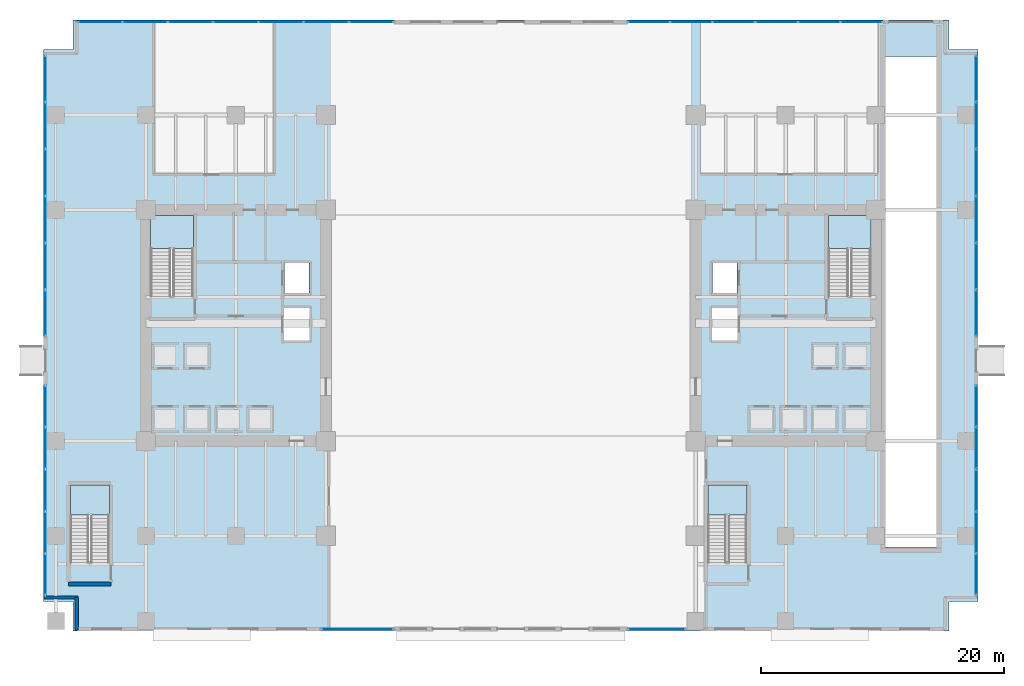
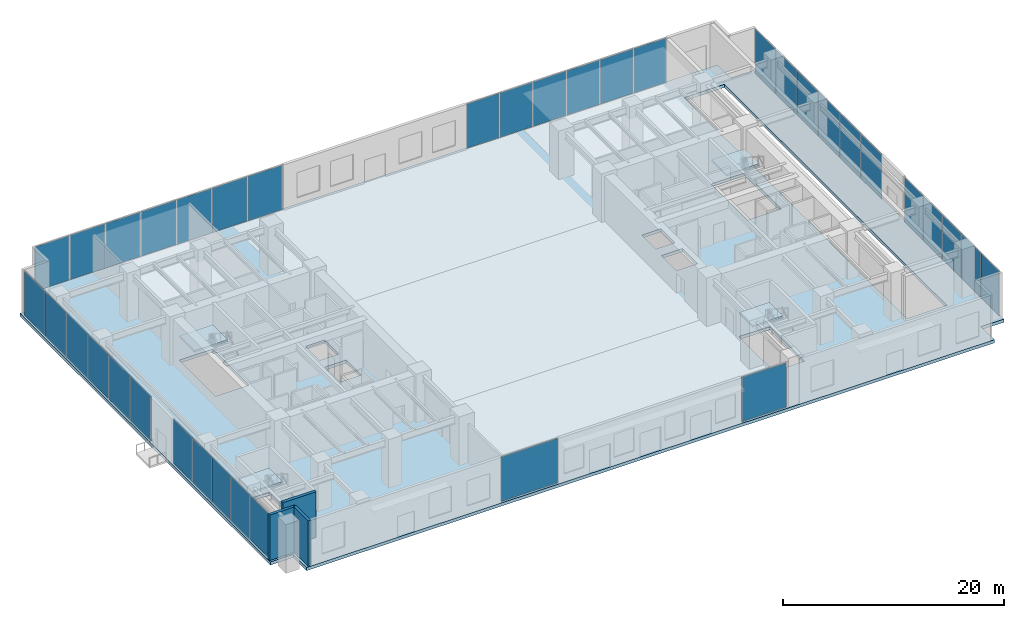
# One storey, part 18 of 28: 37 plates, 5 slabs, 3 walls, 12 elements without a shape of their own.
"""IFC4 building model written with IfcOpenShell, lengths in metres."""

from ifc_helpers import new_model, si_unit, direction, frame, frame_2d, origin, origin_2d, place, context, subcontext, project, spatial, polyline, rectangle, outline, extrude, source, transform, mapped, material, layer, layer_set, type_object, type_shapes, element, aggregate, save


model = new_model("IFC4")

# Units and contexts
model_context = context("Model", 3, precision=1e-05, world=origin(), true_north=direction((0.0, 1.0)))
body_context = subcontext(model_context, "Body", "Model", "MODEL_VIEW")
ifc_project = project(units=[si_unit("LENGTHUNIT", "METRE"), si_unit("AREAUNIT", "SQUARE_METRE"), si_unit("VOLUMEUNIT", "CUBIC_METRE"), si_unit("PLANEANGLEUNIT", "RADIAN"), si_unit("MASSUNIT", "GRAM", prefix="KILO")], contexts=[model_context])

# Site, building, storey
site_placement = place(None, origin())
site = spatial("IfcSite", under=ifc_project, at=site_placement, CompositionType="ELEMENT")
building_placement = place(site_placement, origin())
building = spatial("IfcBuilding", under=site, at=building_placement, Name="Haelvirn Gate Laboratories", CompositionType="ELEMENT")
storey_placement = place(building_placement, origin())
storey = spatial("IfcBuildingStorey", under=building, at=storey_placement, Name="L01", CompositionType="ELEMENT", Elevation=0.0)

# Slab
ifc_material_1 = material(Name="Concrete C50/60", Category="concrete")
ifc_layer_1 = layer(ifc_material_1, 0.35009765625, Name="SL-POD-350")
ifc_layer_set_1 = layer_set([ifc_layer_1], Name="Concrete C50/60")
slab_type_1 = type_object("IfcSlabType", Name="SL-POD-350", PredefinedType="FLOOR", material=ifc_layer_set_1)
slab_1_placement = place(storey_placement, frame((0.0, 0.0, -0.35009765625)))
element("IfcSlab", 1, at=slab_1_placement, inside=storey, type_object=slab_type_1, Name="L01 Structural Slab MAIN", PredefinedType="FLOOR", context=body_context, shape_type="SweptSolid", body=[
    extrude(outline(polyline([(1.39990234375, -0.800048828125), (73.39990234375, -0.800048828125), (73.39990234375, 1.60009765625), (75.800048828125, 1.60009765625), (75.800048828125, 47.0), (73.39990234375, 47.0), (73.39990234375, 49.39990234375), (1.39990234375, 49.39990234375), (1.39990234375, 47.0), (-1.0, 47.0), (-1.0, 1.60009765625), (1.39990234375, 1.60009765625), (1.39990234375, -0.800048828125)]), holes=[polyline([(11.300048828125, 26.780029296875), (11.300048828125, 33.35009765625), (7.800048828125, 33.35009765625), (7.800048828125, 26.780029296875), (11.300048828125, 26.780029296875)]), polyline([(67.0, 26.780029296875), (67.0, 33.35009765625), (63.5, 33.35009765625), (63.5, 26.780029296875), (67.0, 26.780029296875)]), polyline([(4.39990234375, 4.8798828125), (4.39990234375, 11.199951171875), (1.199951171875, 11.199951171875), (1.199951171875, 4.8798828125), (4.39990234375, 4.8798828125)]), polyline([(56.800048828125, 4.8798828125), (56.800048828125, 11.199951171875), (53.60009765625, 11.199951171875), (53.60009765625, 4.8798828125), (56.800048828125, 4.8798828125)]), polyline([(18.7900390625, 26.969970703125), (20.81005859375, 26.969970703125), (20.81005859375, 29.510009765625), (18.7900390625, 29.510009765625), (18.7900390625, 26.969970703125)]), polyline([(18.68994140625, 23.070068359375), (20.909912109375, 23.070068359375), (20.909912109375, 25.81005859375), (18.68994140625, 25.81005859375), (18.68994140625, 23.070068359375)]), polyline([(53.989990234375, 26.969970703125), (56.010009765625, 26.969970703125), (56.010009765625, 29.510009765625), (53.989990234375, 29.510009765625), (53.989990234375, 26.969970703125)]), polyline([(53.889892578125, 23.070068359375), (56.110107421875, 23.070068359375), (56.110107421875, 25.81005859375), (53.889892578125, 25.81005859375), (53.889892578125, 23.070068359375)]), polyline([(68.199951171875, 6.080078125), (72.39990234375, 6.080078125), (72.39990234375, 46.39990234375), (68.199951171875, 46.39990234375), (68.199951171875, 6.080078125)])]), origin(), (0.0, 0.0, 1.0), 0.35009765625),
])

# Stair, slab
ifc_material_2 = material(Name="Concrete C40/50", Category="concrete")
stair_type_1 = type_object("IfcStairType", Name="ST-DOG-1650-R30", PredefinedType="HALF_TURN_STAIR", material=ifc_material_2)
stair_1_placement = place(storey_placement, origin())
stair_1 = element("IfcStair", 2, at=stair_1_placement, inside=storey, type_object=stair_type_1, Name="L01 Escape Stair ST1", PredefinedType="HALF_TURN_STAIR")
ifc_layer_2 = layer(ifc_material_2, 0.199951171875, Name="SL-STAIR-LND")
ifc_layer_set_2 = layer_set([ifc_layer_2], Name="Concrete C40/50")
slab_type_2 = type_object("IfcSlabType", Name="SL-STAIR-LND", PredefinedType="LANDING", material=ifc_layer_set_2)
slab_2_placement = place(storey_placement, frame((0.0, 0.0, 2.5)))
slab_2 = element("IfcSlab", 3, at=slab_2_placement, type_object=slab_type_2, Name="ST1 landing 1", PredefinedType="LANDING", context=body_context, shape_type="SweptSolid", body=[
    extrude(outline(polyline([(11.300048828125, 30.6201171875), (11.300048828125, 33.35009765625), (7.800048828125, 33.35009765625), (7.800048828125, 30.6201171875), (11.300048828125, 30.6201171875)])), origin(), (0.0, 0.0, 1.0), 0.199951171875),
])
aggregate(stair_1, [slab_2])

stair_2_placement = place(storey_placement, origin())
stair_2 = element("IfcStair", 4, at=stair_2_placement, inside=storey, type_object=stair_type_1, Name="L01 Escape Stair ST2", PredefinedType="HALF_TURN_STAIR")
slab_3_placement = place(storey_placement, frame((0.0, 0.0, 2.5)))
slab_3 = element("IfcSlab", 5, at=slab_3_placement, type_object=slab_type_2, Name="ST2 landing 1", PredefinedType="LANDING", context=body_context, shape_type="SweptSolid", body=[
    extrude(outline(polyline([(67.0, 30.6201171875), (67.0, 33.35009765625), (63.5, 33.35009765625), (63.5, 30.6201171875), (67.0, 30.6201171875)])), origin(), (0.0, 0.0, 1.0), 0.199951171875),
])
aggregate(stair_2, [slab_3])

stair_type_2 = type_object("IfcStairType", Name="ST-DOG-1500-R30", PredefinedType="HALF_TURN_STAIR", material=ifc_material_2)
stair_3_placement = place(storey_placement, origin())
stair_3 = element("IfcStair", 6, at=stair_3_placement, inside=storey, type_object=stair_type_2, Name="L01 Escape Stair ST3", PredefinedType="HALF_TURN_STAIR")
slab_4_placement = place(storey_placement, frame((0.0, 0.0, 2.5)))
slab_4 = element("IfcSlab", 7, at=slab_4_placement, type_object=slab_type_2, Name="ST3 landing 1", PredefinedType="LANDING", context=body_context, shape_type="SweptSolid", body=[
    extrude(outline(polyline([(4.39990234375, 8.719970703125), (4.39990234375, 11.199951171875), (1.199951171875, 11.199951171875), (1.199951171875, 8.719970703125), (4.39990234375, 8.719970703125)])), origin(), (0.0, 0.0, 1.0), 0.199951171875),
])
aggregate(stair_3, [slab_4])

stair_4_placement = place(storey_placement, origin())
stair_4 = element("IfcStair", 8, at=stair_4_placement, inside=storey, type_object=stair_type_2, Name="L01 Escape Stair ST4", PredefinedType="HALF_TURN_STAIR")
slab_5_placement = place(storey_placement, frame((0.0, 0.0, 2.5)))
slab_5 = element("IfcSlab", 9, at=slab_5_placement, type_object=slab_type_2, Name="ST4 landing 1", PredefinedType="LANDING", context=body_context, shape_type="SweptSolid", body=[
    extrude(outline(polyline([(56.800048828125, 8.719970703125), (56.800048828125, 11.199951171875), (53.60009765625, 11.199951171875), (53.60009765625, 8.719970703125), (56.800048828125, 8.719970703125)])), origin(), (0.0, 0.0, 1.0), 0.199951171875),
])
aggregate(stair_4, [slab_5])

# Curtain wall, plate
ifc_material_3 = material(Name="Anodised bronze unitised aluminium & triple low-E glass", Category="aluminium")
ifc_layer_3 = layer(ifc_material_3, 0.18798828125, Name="CW-SYS-1")
ifc_layer_set_3 = layer_set([ifc_layer_3], Name="Anodised bronze unitised aluminium & triple low-E glass")
curtain_wall_type = type_object("IfcCurtainWallType", Name="CW-SYS-1", PredefinedType="NOTDEFINED", material=ifc_layer_set_3)
curtain_wall_1_placement = place(storey_placement, origin())
curtain_wall_1 = element("IfcCurtainWall", 10, at=curtain_wall_1_placement, inside=storey, type_object=curtain_wall_type, Name="L01 Unitised Curtain Wall CW-L01-SL", PredefinedType="NOTDEFINED")
ifc_material_4 = material(Name="Bronze solar-control triple low-E IGU 48 mm", Category="glass")
ifc_layer_4 = layer(ifc_material_4, 0.048095703125, Name="CWP-IGU-48")
ifc_layer_set_4 = layer_set([ifc_layer_4], Name="Bronze solar-control triple low-E IGU 48 mm")
plate_type = type_object("IfcPlateType", Name="CWP-IGU-48", PredefinedType="CURTAIN_PANEL", material=ifc_layer_set_4)
shared_shape_1 = source(origin(), body_context, "Body", "SweptSolid", [
    extrude(rectangle(XDim=5.8798828125, YDim=0.048095703125, at=origin_2d()), origin(), (0.0, 0.0, 1.0), 4.909912109375),
])
plate_1_placement = place(storey_placement, frame((24.800048828125, -0.64990234375, 0.06982421875), z_axis=(0.0, 0.0, 1.0), x_axis=(1.0, 0.0, 0.0)))
plate_1 = element("IfcPlate", 11, at=plate_1_placement, type_object=plate_type, Name="CW1 panel 1.1", PredefinedType="CURTAIN_PANEL", context=body_context, shape_type="MappedRepresentation", body=[
    mapped(shared_shape_1, transform((0.0, 0.0, 0.0), scale=1.0)),
])
aggregate(curtain_wall_1, [plate_1])

curtain_wall_2_placement = place(storey_placement, origin())
curtain_wall_2 = element("IfcCurtainWall", 12, at=curtain_wall_2_placement, inside=storey, type_object=curtain_wall_type, Name="L01 Unitised Curtain Wall CW-L01-SR", PredefinedType="NOTDEFINED")
shared_shape_2 = source(origin(), body_context, "Body", "SweptSolid", [
    extrude(rectangle(XDim=4.679931640625, YDim=0.048095703125, at=origin_2d()), origin(), (0.0, 0.0, 1.0), 4.909912109375),
])
plate_2_placement = place(storey_placement, frame((49.39990234375, -0.64990234375, 0.06982421875), z_axis=(0.0, 0.0, 1.0), x_axis=(1.0, 0.0, 0.0)))
plate_2 = element("IfcPlate", 13, at=plate_2_placement, type_object=plate_type, Name="CW1 panel 1.1", PredefinedType="CURTAIN_PANEL", context=body_context, shape_type="MappedRepresentation", body=[
    mapped(shared_shape_2, transform((0.0, 0.0, 0.0), scale=1.0)),
])
aggregate(curtain_wall_2, [plate_2])

# Curtain wall, plates
curtain_wall_3_placement = place(storey_placement, origin())
curtain_wall_3 = element("IfcCurtainWall", 14, at=curtain_wall_3_placement, inside=storey, type_object=curtain_wall_type, Name="L01 Unitised Curtain Wall CW-L01-NL", PredefinedType="NOTDEFINED")
shared_shape_3 = source(origin(), body_context, "Body", "SweptSolid", [
    extrude(rectangle(XDim=3.602783203125, YDim=0.048095703125, at=origin_2d()), origin(), (0.0, 0.0, 1.0), 4.909912109375),
])
plate_3_placement = place(storey_placement, frame((3.641357421875, 49.25, 0.06982421875), z_axis=(0.0, 0.0, 1.0), x_axis=(1.0, 0.0, 0.0)))
plate_3 = element("IfcPlate", 15, at=plate_3_placement, type_object=plate_type, Name="CW1 panel 1.1", PredefinedType="CURTAIN_PANEL", context=body_context, shape_type="MappedRepresentation", body=[
    mapped(shared_shape_3, transform((0.0, 0.0, 0.0), scale=1.0)),
])
plate_4_placement = place(storey_placement, frame((25.9384765625, 49.25, 0.06982421875), z_axis=(0.0, 0.0, 1.0), x_axis=(1.0, 0.0, 0.0)))
plate_4 = element("IfcPlate", 16, at=plate_4_placement, type_object=plate_type, Name="CW1 panel 7.1", PredefinedType="CURTAIN_PANEL", context=body_context, shape_type="MappedRepresentation", body=[
    mapped(shared_shape_3, transform((0.0, 0.0, 0.0), scale=1.0)),
])
shared_shape_4 = source(origin(), body_context, "Body", "SweptSolid", [
    extrude(rectangle(XDim=3.642822265625, YDim=0.048095703125, at=origin_2d()), origin(), (0.0, 0.0, 1.0), 4.909912109375),
])
plate_5_placement = place(storey_placement, frame((7.34423828125, 49.25, 0.06982421875), z_axis=(0.0, 0.0, 1.0), x_axis=(1.0, 0.0, 0.0)))
plate_5 = element("IfcPlate", 17, at=plate_5_placement, type_object=plate_type, Name="CW1 panel 2.1", PredefinedType="CURTAIN_PANEL", context=body_context, shape_type="MappedRepresentation", body=[
    mapped(shared_shape_4, transform((0.0, 0.0, 0.0), scale=1.0)),
])
plate_6_placement = place(storey_placement, frame((11.067138671875, 49.25, 0.06982421875), z_axis=(0.0, 0.0, 1.0), x_axis=(1.0, 0.0, 0.0)))
plate_6 = element("IfcPlate", 18, at=plate_6_placement, type_object=plate_type, Name="CW1 panel 3.1", PredefinedType="CURTAIN_PANEL", context=body_context, shape_type="MappedRepresentation", body=[
    mapped(shared_shape_4, transform((0.0, 0.0, 0.0), scale=1.0)),
])
plate_7_placement = place(storey_placement, frame((14.7900390625, 49.25, 0.06982421875), z_axis=(0.0, 0.0, 1.0), x_axis=(1.0, 0.0, 0.0)))
plate_7 = element("IfcPlate", 19, at=plate_7_placement, type_object=plate_type, Name="CW1 panel 4.1", PredefinedType="CURTAIN_PANEL", context=body_context, shape_type="MappedRepresentation", body=[
    mapped(shared_shape_4, transform((0.0, 0.0, 0.0), scale=1.0)),
])
plate_8_placement = place(storey_placement, frame((18.512939453125, 49.25, 0.06982421875), z_axis=(0.0, 0.0, 1.0), x_axis=(1.0, 0.0, 0.0)))
plate_8 = element("IfcPlate", 20, at=plate_8_placement, type_object=plate_type, Name="CW1 panel 5.1", PredefinedType="CURTAIN_PANEL", context=body_context, shape_type="MappedRepresentation", body=[
    mapped(shared_shape_4, transform((0.0, 0.0, 0.0), scale=1.0)),
])
plate_9_placement = place(storey_placement, frame((22.235595703125, 49.25, 0.06982421875), z_axis=(0.0, 0.0, 1.0), x_axis=(1.0, 0.0, 0.0)))
plate_9 = element("IfcPlate", 21, at=plate_9_placement, type_object=plate_type, Name="CW1 panel 6.1", PredefinedType="CURTAIN_PANEL", context=body_context, shape_type="MappedRepresentation", body=[
    mapped(shared_shape_4, transform((0.0, 0.0, 0.0), scale=1.0)),
])
aggregate(curtain_wall_3, [plate_3, plate_5, plate_6, plate_7, plate_8, plate_9, plate_4])

curtain_wall_4_placement = place(storey_placement, origin())
curtain_wall_4 = element("IfcCurtainWall", 22, at=curtain_wall_4_placement, inside=storey, type_object=curtain_wall_type, Name="L01 Unitised Curtain Wall CW-L01-NR", PredefinedType="NOTDEFINED")
shared_shape_5 = source(origin(), body_context, "Body", "SweptSolid", [
    extrude(rectangle(XDim=3.38671875, YDim=0.048095703125, at=origin_2d()), origin(), (0.0, 0.0, 1.0), 4.909912109375),
])
plate_10_placement = place(storey_placement, frame((48.75341796875, 49.25, 0.06982421875), z_axis=(0.0, 0.0, 1.0), x_axis=(1.0, 0.0, 0.0)))
plate_10 = element("IfcPlate", 23, at=plate_10_placement, type_object=plate_type, Name="CW1 panel 1.1", PredefinedType="CURTAIN_PANEL", context=body_context, shape_type="MappedRepresentation", body=[
    mapped(shared_shape_5, transform((0.0, 0.0, 0.0), scale=1.0)),
])
plate_11_placement = place(storey_placement, frame((66.24658203125, 49.25, 0.06982421875), z_axis=(0.0, 0.0, 1.0), x_axis=(1.0, 0.0, 0.0)))
plate_11 = element("IfcPlate", 24, at=plate_11_placement, type_object=plate_type, Name="CW1 panel 6.1", PredefinedType="CURTAIN_PANEL", context=body_context, shape_type="MappedRepresentation", body=[
    mapped(shared_shape_5, transform((0.0, 0.0, 0.0), scale=1.0)),
])
shared_shape_6 = source(origin(), body_context, "Body", "SweptSolid", [
    extrude(rectangle(XDim=3.4267578125, YDim=0.048095703125, at=origin_2d()), origin(), (0.0, 0.0, 1.0), 4.909912109375),
])
plate_12_placement = place(storey_placement, frame((52.239990234375, 49.25, 0.06982421875), z_axis=(0.0, 0.0, 1.0), x_axis=(1.0, 0.0, 0.0)))
plate_12 = element("IfcPlate", 25, at=plate_12_placement, type_object=plate_type, Name="CW1 panel 2.1", PredefinedType="CURTAIN_PANEL", context=body_context, shape_type="MappedRepresentation", body=[
    mapped(shared_shape_6, transform((0.0, 0.0, 0.0), scale=1.0)),
])
plate_13_placement = place(storey_placement, frame((55.74658203125, 49.25, 0.06982421875), z_axis=(0.0, 0.0, 1.0), x_axis=(1.0, 0.0, 0.0)))
plate_13 = element("IfcPlate", 26, at=plate_13_placement, type_object=plate_type, Name="CW1 panel 3.1", PredefinedType="CURTAIN_PANEL", context=body_context, shape_type="MappedRepresentation", body=[
    mapped(shared_shape_6, transform((0.0, 0.0, 0.0), scale=1.0)),
])
plate_14_placement = place(storey_placement, frame((59.25341796875, 49.25, 0.06982421875), z_axis=(0.0, 0.0, 1.0), x_axis=(1.0, 0.0, 0.0)))
plate_14 = element("IfcPlate", 27, at=plate_14_placement, type_object=plate_type, Name="CW1 panel 4.1", PredefinedType="CURTAIN_PANEL", context=body_context, shape_type="MappedRepresentation", body=[
    mapped(shared_shape_6, transform((0.0, 0.0, 0.0), scale=1.0)),
])
plate_15_placement = place(storey_placement, frame((62.760009765625, 49.25, 0.06982421875), z_axis=(0.0, 0.0, 1.0), x_axis=(1.0, 0.0, 0.0)))
plate_15 = element("IfcPlate", 28, at=plate_15_placement, type_object=plate_type, Name="CW1 panel 5.1", PredefinedType="CURTAIN_PANEL", context=body_context, shape_type="MappedRepresentation", body=[
    mapped(shared_shape_6, transform((0.0, 0.0, 0.0), scale=1.0)),
])
aggregate(curtain_wall_4, [plate_10, plate_12, plate_13, plate_14, plate_15, plate_11])

curtain_wall_5_placement = place(storey_placement, origin())
curtain_wall_5 = element("IfcCurtainWall", 29, at=curtain_wall_5_placement, inside=storey, type_object=curtain_wall_type, Name="L01 Unitised Curtain Wall CW-L01-WS", PredefinedType="NOTDEFINED")
shared_shape_7 = source(origin(), body_context, "Body", "SweptSolid", [
    extrude(rectangle(XDim=3.347900390625, YDim=0.048095703125, at=origin_2d()), origin(), (0.0, 0.0, 1.0), 4.909912109375),
])
plate_16_placement = place(storey_placement, frame((-0.85009765625, 3.833984375, 0.06982421875), z_axis=(0.0, 0.0, 1.0), x_axis=(0.0, 1.0, 0.0)))
plate_16 = element("IfcPlate", 30, at=plate_16_placement, type_object=plate_type, Name="CW1 panel 1.1", PredefinedType="CURTAIN_PANEL", context=body_context, shape_type="MappedRepresentation", body=[
    mapped(shared_shape_7, transform((0.0, 0.0, 0.0), scale=1.0)),
])
plate_17_placement = place(storey_placement, frame((-0.85009765625, 17.666015625, 0.06982421875), z_axis=(0.0, 0.0, 1.0), x_axis=(0.0, 1.0, 0.0)))
plate_17 = element("IfcPlate", 31, at=plate_17_placement, type_object=plate_type, Name="CW1 panel 5.1", PredefinedType="CURTAIN_PANEL", context=body_context, shape_type="MappedRepresentation", body=[
    mapped(shared_shape_7, transform((0.0, 0.0, 0.0), scale=1.0)),
])

curtain_wall_6_placement = place(storey_placement, origin())
curtain_wall_6 = element("IfcCurtainWall", 32, at=curtain_wall_6_placement, inside=storey, type_object=curtain_wall_type, Name="L01 Unitised Curtain Wall CW-L01-ES", PredefinedType="NOTDEFINED")
plate_18_placement = place(storey_placement, frame((75.64990234375, 3.833984375, 0.06982421875), z_axis=(0.0, 0.0, 1.0), x_axis=(0.0, 1.0, 0.0)))
plate_18 = element("IfcPlate", 33, at=plate_18_placement, type_object=plate_type, Name="CW1 panel 1.1", PredefinedType="CURTAIN_PANEL", context=body_context, shape_type="MappedRepresentation", body=[
    mapped(shared_shape_7, transform((0.0, 0.0, 0.0), scale=1.0)),
])
plate_19_placement = place(storey_placement, frame((75.64990234375, 17.666015625, 0.06982421875), z_axis=(0.0, 0.0, 1.0), x_axis=(0.0, 1.0, 0.0)))
plate_19 = element("IfcPlate", 34, at=plate_19_placement, type_object=plate_type, Name="CW1 panel 5.1", PredefinedType="CURTAIN_PANEL", context=body_context, shape_type="MappedRepresentation", body=[
    mapped(shared_shape_7, transform((0.0, 0.0, 0.0), scale=1.0)),
])

# Plate
shared_shape_8 = source(origin(), body_context, "Body", "SweptSolid", [
    extrude(rectangle(XDim=3.387939453125, YDim=0.048095703125, at=origin_2d()), origin(), (0.0, 0.0, 1.0), 4.909912109375),
])
plate_20_placement = place(storey_placement, frame((-0.85009765625, 7.281982421875, 0.06982421875), z_axis=(0.0, 0.0, 1.0), x_axis=(0.0, 1.0, 0.0)))
plate_20 = element("IfcPlate", 35, at=plate_20_placement, type_object=plate_type, Name="CW1 panel 2.1", PredefinedType="CURTAIN_PANEL", context=body_context, shape_type="MappedRepresentation", body=[
    mapped(shared_shape_8, transform((0.0, 0.0, 0.0), scale=1.0)),
])

plate_21_placement = place(storey_placement, frame((-0.85009765625, 10.75, 0.06982421875), z_axis=(0.0, 0.0, 1.0), x_axis=(0.0, 1.0, 0.0)))
plate_21 = element("IfcPlate", 36, at=plate_21_placement, type_object=plate_type, Name="CW1 panel 3.1", PredefinedType="CURTAIN_PANEL", context=body_context, shape_type="MappedRepresentation", body=[
    mapped(shared_shape_8, transform((0.0, 0.0, 0.0), scale=1.0)),
])

plate_22_placement = place(storey_placement, frame((-0.85009765625, 14.218017578125, 0.06982421875), z_axis=(0.0, 0.0, 1.0), x_axis=(0.0, 1.0, 0.0)))
plate_22 = element("IfcPlate", 37, at=plate_22_placement, type_object=plate_type, Name="CW1 panel 4.1", PredefinedType="CURTAIN_PANEL", context=body_context, shape_type="MappedRepresentation", body=[
    mapped(shared_shape_8, transform((0.0, 0.0, 0.0), scale=1.0)),
])

aggregate(curtain_wall_5, [plate_16, plate_20, plate_21, plate_22, plate_17])

plate_23_placement = place(storey_placement, frame((75.64990234375, 7.281982421875, 0.06982421875), z_axis=(0.0, 0.0, 1.0), x_axis=(0.0, 1.0, 0.0)))
plate_23 = element("IfcPlate", 38, at=plate_23_placement, type_object=plate_type, Name="CW1 panel 2.1", PredefinedType="CURTAIN_PANEL", context=body_context, shape_type="MappedRepresentation", body=[
    mapped(shared_shape_8, transform((0.0, 0.0, 0.0), scale=1.0)),
])

plate_24_placement = place(storey_placement, frame((75.64990234375, 10.75, 0.06982421875), z_axis=(0.0, 0.0, 1.0), x_axis=(0.0, 1.0, 0.0)))
plate_24 = element("IfcPlate", 39, at=plate_24_placement, type_object=plate_type, Name="CW1 panel 3.1", PredefinedType="CURTAIN_PANEL", context=body_context, shape_type="MappedRepresentation", body=[
    mapped(shared_shape_8, transform((0.0, 0.0, 0.0), scale=1.0)),
])

plate_25_placement = place(storey_placement, frame((75.64990234375, 14.218017578125, 0.06982421875), z_axis=(0.0, 0.0, 1.0), x_axis=(0.0, 1.0, 0.0)))
plate_25 = element("IfcPlate", 40, at=plate_25_placement, type_object=plate_type, Name="CW1 panel 4.1", PredefinedType="CURTAIN_PANEL", context=body_context, shape_type="MappedRepresentation", body=[
    mapped(shared_shape_8, transform((0.0, 0.0, 0.0), scale=1.0)),
])

aggregate(curtain_wall_6, [plate_18, plate_23, plate_24, plate_25, plate_19])

# Curtain wall, plates
curtain_wall_7_placement = place(storey_placement, origin())
curtain_wall_7 = element("IfcCurtainWall", 41, at=curtain_wall_7_placement, inside=storey, type_object=curtain_wall_type, Name="L01 Unitised Curtain Wall CW-L01-WN", PredefinedType="NOTDEFINED")
shared_shape_9 = source(origin(), body_context, "Body", "SweptSolid", [
    extrude(rectangle(XDim=3.736572265625, YDim=0.048095703125, at=origin_2d()), origin(), (0.0, 0.0, 1.0), 4.909912109375),
])
plate_26_placement = place(storey_placement, frame((-0.85009765625, 25.328369140625, 0.06982421875), z_axis=(0.0, 0.0, 1.0), x_axis=(0.0, 1.0, 0.0)))
plate_26 = element("IfcPlate", 42, at=plate_26_placement, type_object=plate_type, Name="CW1 panel 1.1", PredefinedType="CURTAIN_PANEL", context=body_context, shape_type="MappedRepresentation", body=[
    mapped(shared_shape_9, transform((0.0, 0.0, 0.0), scale=1.0)),
])
plate_27_placement = place(storey_placement, frame((-0.85009765625, 44.57177734375, 0.06982421875), z_axis=(0.0, 0.0, 1.0), x_axis=(0.0, 1.0, 0.0)))
plate_27 = element("IfcPlate", 43, at=plate_27_placement, type_object=plate_type, Name="CW1 panel 6.1", PredefinedType="CURTAIN_PANEL", context=body_context, shape_type="MappedRepresentation", body=[
    mapped(shared_shape_9, transform((0.0, 0.0, 0.0), scale=1.0)),
])

curtain_wall_8_placement = place(storey_placement, origin())
curtain_wall_8 = element("IfcCurtainWall", 44, at=curtain_wall_8_placement, inside=storey, type_object=curtain_wall_type, Name="L01 Unitised Curtain Wall CW-L01-EN", PredefinedType="NOTDEFINED")
plate_28_placement = place(storey_placement, frame((75.64990234375, 25.328369140625, 0.06982421875), z_axis=(0.0, 0.0, 1.0), x_axis=(0.0, 1.0, 0.0)))
plate_28 = element("IfcPlate", 45, at=plate_28_placement, type_object=plate_type, Name="CW1 panel 1.1", PredefinedType="CURTAIN_PANEL", context=body_context, shape_type="MappedRepresentation", body=[
    mapped(shared_shape_9, transform((0.0, 0.0, 0.0), scale=1.0)),
])
plate_29_placement = place(storey_placement, frame((75.64990234375, 44.57177734375, 0.06982421875), z_axis=(0.0, 0.0, 1.0), x_axis=(0.0, 1.0, 0.0)))
plate_29 = element("IfcPlate", 46, at=plate_29_placement, type_object=plate_type, Name="CW1 panel 6.1", PredefinedType="CURTAIN_PANEL", context=body_context, shape_type="MappedRepresentation", body=[
    mapped(shared_shape_9, transform((0.0, 0.0, 0.0), scale=1.0)),
])

# Plate
shared_shape_10 = source(origin(), body_context, "Body", "SweptSolid", [
    extrude(rectangle(XDim=3.776611328125, YDim=0.048095703125, at=origin_2d()), origin(), (0.0, 0.0, 1.0), 4.909912109375),
])
type_shapes(plate_type, [shared_shape_1, shared_shape_2, shared_shape_3, shared_shape_4, shared_shape_5, shared_shape_6, shared_shape_7, shared_shape_8, shared_shape_9, shared_shape_10])
plate_30_placement = place(storey_placement, frame((-0.85009765625, 29.1650390625, 0.06982421875), z_axis=(0.0, 0.0, 1.0), x_axis=(0.0, 1.0, 0.0)))
plate_30 = element("IfcPlate", 47, at=plate_30_placement, type_object=plate_type, Name="CW1 panel 2.1", PredefinedType="CURTAIN_PANEL", context=body_context, shape_type="MappedRepresentation", body=[
    mapped(shared_shape_10, transform((0.0, 0.0, 0.0), scale=1.0)),
])

plate_31_placement = place(storey_placement, frame((-0.85009765625, 33.021728515625, 0.06982421875), z_axis=(0.0, 0.0, 1.0), x_axis=(0.0, 1.0, 0.0)))
plate_31 = element("IfcPlate", 48, at=plate_31_placement, type_object=plate_type, Name="CW1 panel 3.1", PredefinedType="CURTAIN_PANEL", context=body_context, shape_type="MappedRepresentation", body=[
    mapped(shared_shape_10, transform((0.0, 0.0, 0.0), scale=1.0)),
])

plate_32_placement = place(storey_placement, frame((-0.85009765625, 36.87841796875, 0.06982421875), z_axis=(0.0, 0.0, 1.0), x_axis=(0.0, 1.0, 0.0)))
plate_32 = element("IfcPlate", 49, at=plate_32_placement, type_object=plate_type, Name="CW1 panel 4.1", PredefinedType="CURTAIN_PANEL", context=body_context, shape_type="MappedRepresentation", body=[
    mapped(shared_shape_10, transform((0.0, 0.0, 0.0), scale=1.0)),
])

plate_33_placement = place(storey_placement, frame((-0.85009765625, 40.735107421875, 0.06982421875), z_axis=(0.0, 0.0, 1.0), x_axis=(0.0, 1.0, 0.0)))
plate_33 = element("IfcPlate", 50, at=plate_33_placement, type_object=plate_type, Name="CW1 panel 5.1", PredefinedType="CURTAIN_PANEL", context=body_context, shape_type="MappedRepresentation", body=[
    mapped(shared_shape_10, transform((0.0, 0.0, 0.0), scale=1.0)),
])

aggregate(curtain_wall_7, [plate_26, plate_30, plate_31, plate_32, plate_33, plate_27])

plate_34_placement = place(storey_placement, frame((75.64990234375, 29.1650390625, 0.06982421875), z_axis=(0.0, 0.0, 1.0), x_axis=(0.0, 1.0, 0.0)))
plate_34 = element("IfcPlate", 51, at=plate_34_placement, type_object=plate_type, Name="CW1 panel 2.1", PredefinedType="CURTAIN_PANEL", context=body_context, shape_type="MappedRepresentation", body=[
    mapped(shared_shape_10, transform((0.0, 0.0, 0.0), scale=1.0)),
])

plate_35_placement = place(storey_placement, frame((75.64990234375, 33.021728515625, 0.06982421875), z_axis=(0.0, 0.0, 1.0), x_axis=(0.0, 1.0, 0.0)))
plate_35 = element("IfcPlate", 52, at=plate_35_placement, type_object=plate_type, Name="CW1 panel 3.1", PredefinedType="CURTAIN_PANEL", context=body_context, shape_type="MappedRepresentation", body=[
    mapped(shared_shape_10, transform((0.0, 0.0, 0.0), scale=1.0)),
])

plate_36_placement = place(storey_placement, frame((75.64990234375, 36.87841796875, 0.06982421875), z_axis=(0.0, 0.0, 1.0), x_axis=(0.0, 1.0, 0.0)))
plate_36 = element("IfcPlate", 53, at=plate_36_placement, type_object=plate_type, Name="CW1 panel 4.1", PredefinedType="CURTAIN_PANEL", context=body_context, shape_type="MappedRepresentation", body=[
    mapped(shared_shape_10, transform((0.0, 0.0, 0.0), scale=1.0)),
])

plate_37_placement = place(storey_placement, frame((75.64990234375, 40.735107421875, 0.06982421875), z_axis=(0.0, 0.0, 1.0), x_axis=(0.0, 1.0, 0.0)))
plate_37 = element("IfcPlate", 54, at=plate_37_placement, type_object=plate_type, Name="CW1 panel 5.1", PredefinedType="CURTAIN_PANEL", context=body_context, shape_type="MappedRepresentation", body=[
    mapped(shared_shape_10, transform((0.0, 0.0, 0.0), scale=1.0)),
])

aggregate(curtain_wall_8, [plate_28, plate_34, plate_35, plate_36, plate_37, plate_29])

# Walls
ifc_material_5 = material(Name="Thermally-broken bronze aluminium rainscreen & mineral wool", Category="aluminium")
ifc_layer_5 = layer(ifc_material_5, 0.280029296875, Name="EW-TERR-280")
ifc_layer_set_5 = layer_set([ifc_layer_5], Name="Thermally-broken bronze aluminium rainscreen & mineral wool")
wall_type_1 = type_object("IfcWallType", Name="EW-TERR-280", PredefinedType="STANDARD", material=ifc_layer_set_5)
wall_1_placement = place(storey_placement, frame((-0.949951171875, 1.93994140625, 0.0), z_axis=(0.0, 0.0, 1.0), x_axis=(1.0, 0.0, 0.0)))
element("IfcWall", 55, at=wall_1_placement, inside=storey, type_object=wall_type_1, Name="L01 Notched Corner Perimeter Wall SW1", PredefinedType="STANDARD", context=body_context, shape_type="SweptSolid", body=[
    extrude(rectangle(XDim=2.77001953125, YDim=0.280029296875, at=frame_2d((1.385009765625, 0.0))), origin(), (0.0, 0.0, 1.0), 5.050048828125),
])
wall_2_placement = place(storey_placement, frame((1.739990234375, 1.93994140625, 0.0), z_axis=(0.0, 0.0, 1.0), x_axis=(0.0, -1.0, 0.0)))
element("IfcWall", 56, at=wall_2_placement, inside=storey, type_object=wall_type_1, Name="L01 Notched Corner Perimeter Wall SW2", PredefinedType="STANDARD", context=body_context, shape_type="SweptSolid", body=[
    extrude(rectangle(XDim=2.68994140625, YDim=0.280029296875, at=frame_2d((1.344970703125, 0.0))), origin(), (0.0, 0.0, 1.0), 5.050048828125),
])
ifc_layer_6 = layer(ifc_material_1, 0.300048828125, Name="SW-STAIR-300")
ifc_layer_set_6 = layer_set([ifc_layer_6], Name="Concrete C50/60")
wall_type_2 = type_object("IfcWallType", Name="SW-STAIR-300", PredefinedType="SHEAR", material=ifc_layer_set_6)
wall_3_placement = place(storey_placement, frame((1.050048828125, 3.050048828125, 0.0), z_axis=(0.0, 0.0, 1.0), x_axis=(1.0, 0.0, 0.0)))
element("IfcWall", 57, at=wall_3_placement, inside=storey, type_object=wall_type_2, Name="L01 Podium Stair ST3 Structural Wall S", PredefinedType="SHEAR", context=body_context, shape_type="SweptSolid", body=[
    extrude(rectangle(XDim=3.5, YDim=0.300048828125, at=frame_2d((1.75, 0.0))), origin(), (0.0, 0.0, 1.0), 5.050048828125),
])

save(model, "model.ifc")
